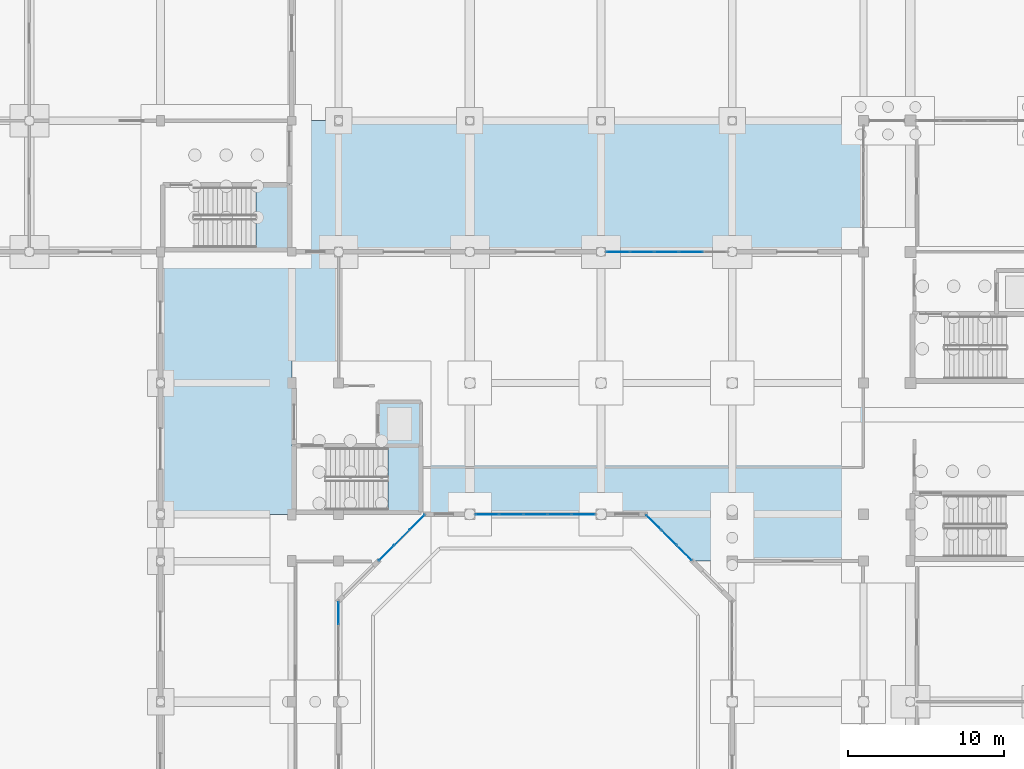
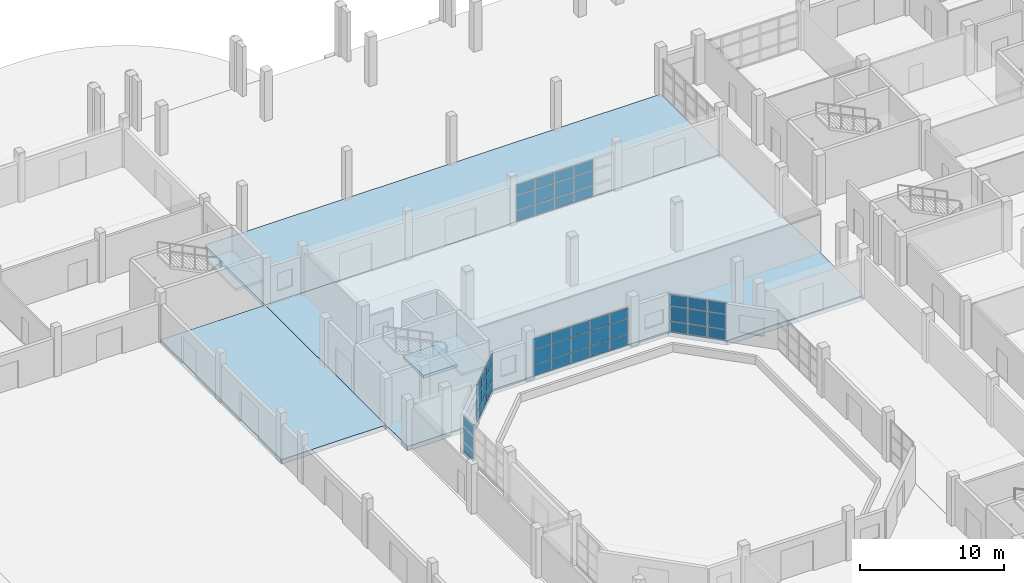
# One storey, part 50 of 88: 48 plates, 6 slabs, 7 elements without a shape of their own.
"""IFC4 building model written with IfcOpenShell, lengths in metres."""

from ifc_helpers import new_model, si_unit, direction, frame, origin, origin_2d, place, context, subcontext, project, spatial, polyline, rectangle, outline, extrude, material, layer, layer_set, type_object, element, aggregate, save


model = new_model("IFC4")

# Units and contexts
model_context = context("Model", 3, precision=1e-05, world=origin(), true_north=direction((0.0, 1.0)))
body_context = subcontext(model_context, "Body", "Model", "MODEL_VIEW")
ifc_project = project(units=[si_unit("LENGTHUNIT", "METRE"), si_unit("AREAUNIT", "SQUARE_METRE"), si_unit("VOLUMEUNIT", "CUBIC_METRE"), si_unit("PLANEANGLEUNIT", "RADIAN"), si_unit("MASSUNIT", "GRAM", prefix="KILO")], contexts=[model_context])

# Site, building, storey
site_placement = place(None, origin())
site = spatial("IfcSite", under=ifc_project, at=site_placement, CompositionType="ELEMENT")
building_placement = place(site_placement, origin())
building = spatial("IfcBuilding", under=site, at=building_placement, Name="Vanh Quang Courtyard School", CompositionType="ELEMENT")
storey_placement = place(building_placement, origin())
storey = spatial("IfcBuildingStorey", under=building, at=storey_placement, Name="L00", CompositionType="ELEMENT", Elevation=0.0)

# Curtain wall, plates
ifc_material_1 = material(Name="Thermally broken aluminium unitised curtain wall", Category="aluminium")
curtain_wall_type_1 = type_object("IfcCurtainWallType", Name="CW-SYS-14", PredefinedType="NOTDEFINED", material=ifc_material_1)
curtain_wall_1_placement = place(storey_placement, origin())
curtain_wall_1 = element("IfcCurtainWall", 1, at=curtain_wall_1_placement, inside=storey, type_object=curtain_wall_type_1, Name="Curtain Wall CW-14 (L00)", PredefinedType="NOTDEFINED")
ifc_material_2 = material(Name="Low-E laminated double glazing", Category="glass")
ifc_layer_1 = layer(ifc_material_2, 0.028076171875)
ifc_layer_set_1 = layer_set([ifc_layer_1], Name="Low-E laminated double glazing")
plate_type_1 = type_object("IfcPlateType", Name="CW-PNL-28", PredefinedType="CURTAIN_PANEL", material=ifc_layer_set_1)
plate_1_placement = place(storey_placement, frame((62.94189453125, 68.9140625, 0.080078125), z_axis=(0.0, 0.0, 1.0), x_axis=(-0.707106781187, 0.707106781187, 0.0)))
plate_1 = element("IfcPlate", 2, at=plate_1_placement, type_object=plate_type_1, Name="CW-14 panel 1.1", PredefinedType="CURTAIN_PANEL", context=body_context, shape_type="SweptSolid", body=[
    extrude(rectangle(XDim=1.294189453125, YDim=0.028076171875, at=origin_2d()), origin(), (0.0, 0.0, 1.0), 0.830078125),
])
plate_2_placement = place(storey_placement, frame((62.94189453125, 68.9140625, 0.990234375), z_axis=(0.0, 0.0, 1.0), x_axis=(-0.707106781187, 0.707106781187, 0.0)))
plate_2 = element("IfcPlate", 3, at=plate_2_placement, type_object=plate_type_1, Name="CW-14 panel 1.2", PredefinedType="CURTAIN_PANEL", context=body_context, shape_type="SweptSolid", body=[
    extrude(rectangle(XDim=1.294189453125, YDim=0.028076171875, at=origin_2d()), origin(), (0.0, 0.0, 1.0), 1.219970703125),
])
plate_3_placement = place(storey_placement, frame((62.94189453125, 68.9140625, 2.2900390625), z_axis=(0.0, 0.0, 1.0), x_axis=(-0.707106781187, 0.707106781187, 0.0)))
plate_3 = element("IfcPlate", 4, at=plate_3_placement, type_object=plate_type_1, Name="CW-14 panel 1.3", PredefinedType="CURTAIN_PANEL", context=body_context, shape_type="SweptSolid", body=[
    extrude(rectangle(XDim=1.294189453125, YDim=0.028076171875, at=origin_2d()), origin(), (0.0, 0.0, 1.0), 0.89990234375),
])
plate_4_placement = place(storey_placement, frame((61.9560546875, 69.89990234375, 0.080078125), z_axis=(0.0, 0.0, 1.0), x_axis=(-0.707106781187, 0.707106781187, 0.0)))
plate_4 = element("IfcPlate", 5, at=plate_4_placement, type_object=plate_type_1, Name="CW-14 panel 2.1", PredefinedType="CURTAIN_PANEL", context=body_context, shape_type="SweptSolid", body=[
    extrude(rectangle(XDim=1.334228515625, YDim=0.028076171875, at=origin_2d()), origin(), (0.0, 0.0, 1.0), 0.830078125),
])
plate_5_placement = place(storey_placement, frame((61.9560546875, 69.89990234375, 0.990234375), z_axis=(0.0, 0.0, 1.0), x_axis=(-0.707106781187, 0.707106781187, 0.0)))
plate_5 = element("IfcPlate", 6, at=plate_5_placement, type_object=plate_type_1, Name="CW-14 panel 2.2", PredefinedType="CURTAIN_PANEL", context=body_context, shape_type="SweptSolid", body=[
    extrude(rectangle(XDim=1.334228515625, YDim=0.028076171875, at=origin_2d()), origin(), (0.0, 0.0, 1.0), 1.219970703125),
])
plate_6_placement = place(storey_placement, frame((61.9560546875, 69.89990234375, 2.2900390625), z_axis=(0.0, 0.0, 1.0), x_axis=(-0.707106781187, 0.707106781187, 0.0)))
plate_6 = element("IfcPlate", 7, at=plate_6_placement, type_object=plate_type_1, Name="CW-14 panel 2.3", PredefinedType="CURTAIN_PANEL", context=body_context, shape_type="SweptSolid", body=[
    extrude(rectangle(XDim=1.334228515625, YDim=0.028076171875, at=origin_2d()), origin(), (0.0, 0.0, 1.0), 0.89990234375),
])
plate_7_placement = place(storey_placement, frame((60.97021484375, 70.8857421875, 0.080078125), z_axis=(0.0, 0.0, 1.0), x_axis=(-0.707106781187, 0.707106781187, 0.0)))
plate_7 = element("IfcPlate", 8, at=plate_7_placement, type_object=plate_type_1, Name="CW-14 panel 3.1", PredefinedType="CURTAIN_PANEL", context=body_context, shape_type="SweptSolid", body=[
    extrude(rectangle(XDim=1.294189453125, YDim=0.028076171875, at=origin_2d()), origin(), (0.0, 0.0, 1.0), 0.830078125),
])
plate_8_placement = place(storey_placement, frame((60.97021484375, 70.8857421875, 0.990234375), z_axis=(0.0, 0.0, 1.0), x_axis=(-0.707106781187, 0.707106781187, 0.0)))
plate_8 = element("IfcPlate", 9, at=plate_8_placement, type_object=plate_type_1, Name="CW-14 panel 3.2", PredefinedType="CURTAIN_PANEL", context=body_context, shape_type="SweptSolid", body=[
    extrude(rectangle(XDim=1.294189453125, YDim=0.028076171875, at=origin_2d()), origin(), (0.0, 0.0, 1.0), 1.219970703125),
])
plate_9_placement = place(storey_placement, frame((60.97021484375, 70.8857421875, 2.2900390625), z_axis=(0.0, 0.0, 1.0), x_axis=(-0.707106781187, 0.707106781187, 0.0)))
plate_9 = element("IfcPlate", 10, at=plate_9_placement, type_object=plate_type_1, Name="CW-14 panel 3.3", PredefinedType="CURTAIN_PANEL", context=body_context, shape_type="SweptSolid", body=[
    extrude(rectangle(XDim=1.294189453125, YDim=0.028076171875, at=origin_2d()), origin(), (0.0, 0.0, 1.0), 0.89990234375),
])
aggregate(curtain_wall_1, [plate_1, plate_2, plate_3, plate_4, plate_5, plate_6, plate_7, plate_8, plate_9])

curtain_wall_type_2 = type_object("IfcCurtainWallType", Name="CW-SYS-15", PredefinedType="NOTDEFINED", material=ifc_material_1)
curtain_wall_2_placement = place(storey_placement, origin())
curtain_wall_2 = element("IfcCurtainWall", 11, at=curtain_wall_2_placement, inside=storey, type_object=curtain_wall_type_2, Name="Curtain Wall CW-15 (L00)", PredefinedType="NOTDEFINED")
plate_10_placement = place(storey_placement, frame((45.83154296875, 70.8876953125, 0.06982421875), z_axis=(0.0, 0.0, 1.0), x_axis=(-0.707106781187, -0.707106781187, 0.0)))
plate_10 = element("IfcPlate", 12, at=plate_10_placement, type_object=plate_type_1, Name="CW-15 panel 1.1", PredefinedType="CURTAIN_PANEL", context=body_context, shape_type="SweptSolid", body=[
    extrude(rectangle(XDim=1.309326171875, YDim=0.028076171875, at=origin_2d()), origin(), (0.0, 0.0, 1.0), 0.844970703125),
])
plate_11_placement = place(storey_placement, frame((45.83154296875, 70.8876953125, 0.985107421875), z_axis=(0.0, 0.0, 1.0), x_axis=(-0.707106781187, -0.707106781187, 0.0)))
plate_11 = element("IfcPlate", 13, at=plate_11_placement, type_object=plate_type_1, Name="CW-15 panel 1.2", PredefinedType="CURTAIN_PANEL", context=body_context, shape_type="SweptSolid", body=[
    extrude(rectangle(XDim=1.309326171875, YDim=0.028076171875, at=origin_2d()), origin(), (0.0, 0.0, 1.0), 1.22998046875),
])
plate_12_placement = place(storey_placement, frame((45.83154296875, 70.8876953125, 2.28515625), z_axis=(0.0, 0.0, 1.0), x_axis=(-0.707106781187, -0.707106781187, 0.0)))
plate_12 = element("IfcPlate", 14, at=plate_12_placement, type_object=plate_type_1, Name="CW-15 panel 1.3", PredefinedType="CURTAIN_PANEL", context=body_context, shape_type="SweptSolid", body=[
    extrude(rectangle(XDim=1.309326171875, YDim=0.028076171875, at=origin_2d()), origin(), (0.0, 0.0, 1.0), 0.864990234375),
])
plate_13_placement = place(storey_placement, frame((44.843994140625, 69.89990234375, 0.06982421875), z_axis=(0.0, 0.0, 1.0), x_axis=(-0.707106781187, -0.707106781187, 0.0)))
plate_13 = element("IfcPlate", 15, at=plate_13_placement, type_object=plate_type_1, Name="CW-15 panel 2.1", PredefinedType="CURTAIN_PANEL", context=body_context, shape_type="SweptSolid", body=[
    extrude(rectangle(XDim=1.34423828125, YDim=0.028076171875, at=origin_2d()), origin(), (0.0, 0.0, 1.0), 0.844970703125),
])
plate_14_placement = place(storey_placement, frame((44.843994140625, 69.89990234375, 0.985107421875), z_axis=(0.0, 0.0, 1.0), x_axis=(-0.707106781187, -0.707106781187, 0.0)))
plate_14 = element("IfcPlate", 16, at=plate_14_placement, type_object=plate_type_1, Name="CW-15 panel 2.2", PredefinedType="CURTAIN_PANEL", context=body_context, shape_type="SweptSolid", body=[
    extrude(rectangle(XDim=1.34423828125, YDim=0.028076171875, at=origin_2d()), origin(), (0.0, 0.0, 1.0), 1.22998046875),
])
plate_15_placement = place(storey_placement, frame((44.843994140625, 69.89990234375, 2.28515625), z_axis=(0.0, 0.0, 1.0), x_axis=(-0.707106781187, -0.707106781187, 0.0)))
plate_15 = element("IfcPlate", 17, at=plate_15_placement, type_object=plate_type_1, Name="CW-15 panel 2.3", PredefinedType="CURTAIN_PANEL", context=body_context, shape_type="SweptSolid", body=[
    extrude(rectangle(XDim=1.34423828125, YDim=0.028076171875, at=origin_2d()), origin(), (0.0, 0.0, 1.0), 0.864990234375),
])
plate_16_placement = place(storey_placement, frame((43.8564453125, 68.912353515625, 0.06982421875), z_axis=(0.0, 0.0, 1.0), x_axis=(-0.707106781187, -0.707106781187, 0.0)))
plate_16 = element("IfcPlate", 18, at=plate_16_placement, type_object=plate_type_1, Name="CW-15 panel 3.1", PredefinedType="CURTAIN_PANEL", context=body_context, shape_type="SweptSolid", body=[
    extrude(rectangle(XDim=1.309326171875, YDim=0.028076171875, at=origin_2d()), origin(), (0.0, 0.0, 1.0), 0.844970703125),
])
plate_17_placement = place(storey_placement, frame((43.8564453125, 68.912353515625, 0.985107421875), z_axis=(0.0, 0.0, 1.0), x_axis=(-0.707106781187, -0.707106781187, 0.0)))
plate_17 = element("IfcPlate", 19, at=plate_17_placement, type_object=plate_type_1, Name="CW-15 panel 3.2", PredefinedType="CURTAIN_PANEL", context=body_context, shape_type="SweptSolid", body=[
    extrude(rectangle(XDim=1.309326171875, YDim=0.028076171875, at=origin_2d()), origin(), (0.0, 0.0, 1.0), 1.22998046875),
])
plate_18_placement = place(storey_placement, frame((43.8564453125, 68.912353515625, 2.28515625), z_axis=(0.0, 0.0, 1.0), x_axis=(-0.707106781187, -0.707106781187, 0.0)))
plate_18 = element("IfcPlate", 20, at=plate_18_placement, type_object=plate_type_1, Name="CW-15 panel 3.3", PredefinedType="CURTAIN_PANEL", context=body_context, shape_type="SweptSolid", body=[
    extrude(rectangle(XDim=1.309326171875, YDim=0.028076171875, at=origin_2d()), origin(), (0.0, 0.0, 1.0), 0.864990234375),
])
aggregate(curtain_wall_2, [plate_10, plate_11, plate_12, plate_13, plate_14, plate_15, plate_16, plate_17, plate_18])

curtain_wall_type_3 = type_object("IfcCurtainWallType", Name="CW-SYS-01", PredefinedType="NOTDEFINED", material=ifc_material_1)
curtain_wall_3_placement = place(storey_placement, origin())
curtain_wall_3 = element("IfcCurtainWall", 21, at=curtain_wall_3_placement, inside=storey, type_object=curtain_wall_type_3, Name="Curtain Wall CW-01 (L00)", PredefinedType="NOTDEFINED")
ifc_layer_2 = layer(ifc_material_2, 0.031982421875)
ifc_layer_set_2 = layer_set([ifc_layer_2], Name="Low-E laminated double glazing")
plate_type_2 = type_object("IfcPlateType", Name="CW-PNL-32", PredefinedType="CURTAIN_PANEL", material=ifc_layer_set_2)
plate_19_placement = place(storey_placement, frame((58.683837890625, 88.199951171875, 0.06982421875), z_axis=(0.0, 0.0, 1.0), x_axis=(1.0, 0.0, 0.0)))
plate_19 = element("IfcPlate", 22, at=plate_19_placement, type_object=plate_type_2, Name="CW-01 panel 1.1", PredefinedType="CURTAIN_PANEL", context=body_context, shape_type="SweptSolid", body=[
    extrude(rectangle(XDim=1.4619140625, YDim=0.031982421875, at=origin_2d()), origin(), (0.0, 0.0, 1.0), 0.844970703125),
])
plate_20_placement = place(storey_placement, frame((58.683837890625, 88.199951171875, 0.985107421875), z_axis=(0.0, 0.0, 1.0), x_axis=(1.0, 0.0, 0.0)))
plate_20 = element("IfcPlate", 23, at=plate_20_placement, type_object=plate_type_2, Name="CW-01 panel 1.2", PredefinedType="CURTAIN_PANEL", context=body_context, shape_type="SweptSolid", body=[
    extrude(rectangle(XDim=1.4619140625, YDim=0.031982421875, at=origin_2d()), origin(), (0.0, 0.0, 1.0), 1.22998046875),
])
plate_21_placement = place(storey_placement, frame((58.683837890625, 88.199951171875, 2.28515625), z_axis=(0.0, 0.0, 1.0), x_axis=(1.0, 0.0, 0.0)))
plate_21 = element("IfcPlate", 24, at=plate_21_placement, type_object=plate_type_2, Name="CW-01 panel 1.3", PredefinedType="CURTAIN_PANEL", context=body_context, shape_type="SweptSolid", body=[
    extrude(rectangle(XDim=1.4619140625, YDim=0.031982421875, at=origin_2d()), origin(), (0.0, 0.0, 1.0), 0.864990234375),
])
plate_22_placement = place(storey_placement, frame((60.233154296875, 88.199951171875, 0.06982421875), z_axis=(0.0, 0.0, 1.0), x_axis=(1.0, 0.0, 0.0)))
plate_22 = element("IfcPlate", 25, at=plate_22_placement, type_object=plate_type_2, Name="CW-01 panel 2.1", PredefinedType="CURTAIN_PANEL", context=body_context, shape_type="SweptSolid", body=[
    extrude(rectangle(XDim=1.496826171875, YDim=0.031982421875, at=origin_2d()), origin(), (0.0, 0.0, 1.0), 0.844970703125),
])
plate_23_placement = place(storey_placement, frame((60.233154296875, 88.199951171875, 0.985107421875), z_axis=(0.0, 0.0, 1.0), x_axis=(1.0, 0.0, 0.0)))
plate_23 = element("IfcPlate", 26, at=plate_23_placement, type_object=plate_type_2, Name="CW-01 panel 2.2", PredefinedType="CURTAIN_PANEL", context=body_context, shape_type="SweptSolid", body=[
    extrude(rectangle(XDim=1.496826171875, YDim=0.031982421875, at=origin_2d()), origin(), (0.0, 0.0, 1.0), 1.22998046875),
])
plate_24_placement = place(storey_placement, frame((60.233154296875, 88.199951171875, 2.28515625), z_axis=(0.0, 0.0, 1.0), x_axis=(1.0, 0.0, 0.0)))
plate_24 = element("IfcPlate", 27, at=plate_24_placement, type_object=plate_type_2, Name="CW-01 panel 2.3", PredefinedType="CURTAIN_PANEL", context=body_context, shape_type="SweptSolid", body=[
    extrude(rectangle(XDim=1.496826171875, YDim=0.031982421875, at=origin_2d()), origin(), (0.0, 0.0, 1.0), 0.864990234375),
])
plate_25_placement = place(storey_placement, frame((61.800048828125, 88.199951171875, 0.06982421875), z_axis=(0.0, 0.0, 1.0), x_axis=(1.0, 0.0, 0.0)))
plate_25 = element("IfcPlate", 28, at=plate_25_placement, type_object=plate_type_2, Name="CW-01 panel 3.1", PredefinedType="CURTAIN_PANEL", context=body_context, shape_type="SweptSolid", body=[
    extrude(rectangle(XDim=1.496826171875, YDim=0.031982421875, at=origin_2d()), origin(), (0.0, 0.0, 1.0), 0.844970703125),
])
plate_26_placement = place(storey_placement, frame((61.800048828125, 88.199951171875, 0.985107421875), z_axis=(0.0, 0.0, 1.0), x_axis=(1.0, 0.0, 0.0)))
plate_26 = element("IfcPlate", 29, at=plate_26_placement, type_object=plate_type_2, Name="CW-01 panel 3.2", PredefinedType="CURTAIN_PANEL", context=body_context, shape_type="SweptSolid", body=[
    extrude(rectangle(XDim=1.496826171875, YDim=0.031982421875, at=origin_2d()), origin(), (0.0, 0.0, 1.0), 1.22998046875),
])
plate_27_placement = place(storey_placement, frame((61.800048828125, 88.199951171875, 2.28515625), z_axis=(0.0, 0.0, 1.0), x_axis=(1.0, 0.0, 0.0)))
plate_27 = element("IfcPlate", 30, at=plate_27_placement, type_object=plate_type_2, Name="CW-01 panel 3.3", PredefinedType="CURTAIN_PANEL", context=body_context, shape_type="SweptSolid", body=[
    extrude(rectangle(XDim=1.496826171875, YDim=0.031982421875, at=origin_2d()), origin(), (0.0, 0.0, 1.0), 0.864990234375),
])
plate_28_placement = place(storey_placement, frame((63.36669921875, 88.199951171875, 0.06982421875), z_axis=(0.0, 0.0, 1.0), x_axis=(1.0, 0.0, 0.0)))
plate_28 = element("IfcPlate", 31, at=plate_28_placement, type_object=plate_type_2, Name="CW-01 panel 4.1", PredefinedType="CURTAIN_PANEL", context=body_context, shape_type="SweptSolid", body=[
    extrude(rectangle(XDim=1.496826171875, YDim=0.031982421875, at=origin_2d()), origin(), (0.0, 0.0, 1.0), 0.844970703125),
])
plate_29_placement = place(storey_placement, frame((63.36669921875, 88.199951171875, 0.985107421875), z_axis=(0.0, 0.0, 1.0), x_axis=(1.0, 0.0, 0.0)))
plate_29 = element("IfcPlate", 32, at=plate_29_placement, type_object=plate_type_2, Name="CW-01 panel 4.2", PredefinedType="CURTAIN_PANEL", context=body_context, shape_type="SweptSolid", body=[
    extrude(rectangle(XDim=1.496826171875, YDim=0.031982421875, at=origin_2d()), origin(), (0.0, 0.0, 1.0), 1.22998046875),
])
plate_30_placement = place(storey_placement, frame((63.36669921875, 88.199951171875, 2.28515625), z_axis=(0.0, 0.0, 1.0), x_axis=(1.0, 0.0, 0.0)))
plate_30 = element("IfcPlate", 33, at=plate_30_placement, type_object=plate_type_2, Name="CW-01 panel 4.3", PredefinedType="CURTAIN_PANEL", context=body_context, shape_type="SweptSolid", body=[
    extrude(rectangle(XDim=1.496826171875, YDim=0.031982421875, at=origin_2d()), origin(), (0.0, 0.0, 1.0), 0.864990234375),
])
aggregate(curtain_wall_3, [plate_19, plate_20, plate_21, plate_22, plate_23, plate_24, plate_25, plate_26, plate_27, plate_28, plate_29, plate_30])

curtain_wall_type_4 = type_object("IfcCurtainWallType", Name="CW-SYS-02", PredefinedType="NOTDEFINED", material=ifc_material_1)
curtain_wall_4_placement = place(storey_placement, origin())
curtain_wall_4 = element("IfcCurtainWall", 34, at=curtain_wall_4_placement, inside=storey, type_object=curtain_wall_type_4, Name="Curtain Wall CW-02 (L00)", PredefinedType="NOTDEFINED")
plate_31_placement = place(storey_placement, frame((56.478515625, 71.39990234375, 0.06005859375), z_axis=(0.0, 0.0, 1.0), x_axis=(-1.0, 0.0, 0.0)))
plate_31 = element("IfcPlate", 35, at=plate_31_placement, type_object=plate_type_2, Name="CW-02 panel 1.1", PredefinedType="CURTAIN_PANEL", context=body_context, shape_type="SweptSolid", body=[
    extrude(rectangle(XDim=1.456787109375, YDim=0.031982421875, at=origin_2d()), origin(), (0.0, 0.0, 1.0), 0.860107421875),
])
plate_32_placement = place(storey_placement, frame((56.478515625, 71.39990234375, 0.97998046875), z_axis=(0.0, 0.0, 1.0), x_axis=(-1.0, 0.0, 0.0)))
plate_32 = element("IfcPlate", 36, at=plate_32_placement, type_object=plate_type_2, Name="CW-02 panel 1.2", PredefinedType="CURTAIN_PANEL", context=body_context, shape_type="SweptSolid", body=[
    extrude(rectangle(XDim=1.456787109375, YDim=0.031982421875, at=origin_2d()), origin(), (0.0, 0.0, 1.0), 1.239990234375),
])
plate_33_placement = place(storey_placement, frame((56.478515625, 71.39990234375, 2.280029296875), z_axis=(0.0, 0.0, 1.0), x_axis=(-1.0, 0.0, 0.0)))
plate_33 = element("IfcPlate", 37, at=plate_33_placement, type_object=plate_type_2, Name="CW-02 panel 1.3", PredefinedType="CURTAIN_PANEL", context=body_context, shape_type="SweptSolid", body=[
    extrude(rectangle(XDim=1.456787109375, YDim=0.031982421875, at=origin_2d()), origin(), (0.0, 0.0, 1.0), 0.8798828125),
])
plate_34_placement = place(storey_placement, frame((54.94677734375, 71.39990234375, 0.06005859375), z_axis=(0.0, 0.0, 1.0), x_axis=(-1.0, 0.0, 0.0)))
plate_34 = element("IfcPlate", 38, at=plate_34_placement, type_object=plate_type_2, Name="CW-02 panel 2.1", PredefinedType="CURTAIN_PANEL", context=body_context, shape_type="SweptSolid", body=[
    extrude(rectangle(XDim=1.48681640625, YDim=0.031982421875, at=origin_2d()), origin(), (0.0, 0.0, 1.0), 0.860107421875),
])
plate_35_placement = place(storey_placement, frame((54.94677734375, 71.39990234375, 0.97998046875), z_axis=(0.0, 0.0, 1.0), x_axis=(-1.0, 0.0, 0.0)))
plate_35 = element("IfcPlate", 39, at=plate_35_placement, type_object=plate_type_2, Name="CW-02 panel 2.2", PredefinedType="CURTAIN_PANEL", context=body_context, shape_type="SweptSolid", body=[
    extrude(rectangle(XDim=1.48681640625, YDim=0.031982421875, at=origin_2d()), origin(), (0.0, 0.0, 1.0), 1.239990234375),
])
plate_36_placement = place(storey_placement, frame((54.94677734375, 71.39990234375, 2.280029296875), z_axis=(0.0, 0.0, 1.0), x_axis=(-1.0, 0.0, 0.0)))
plate_36 = element("IfcPlate", 40, at=plate_36_placement, type_object=plate_type_2, Name="CW-02 panel 2.3", PredefinedType="CURTAIN_PANEL", context=body_context, shape_type="SweptSolid", body=[
    extrude(rectangle(XDim=1.48681640625, YDim=0.031982421875, at=origin_2d()), origin(), (0.0, 0.0, 1.0), 0.8798828125),
])
plate_37_placement = place(storey_placement, frame((53.39990234375, 71.39990234375, 0.06005859375), z_axis=(0.0, 0.0, 1.0), x_axis=(-1.0, 0.0, 0.0)))
plate_37 = element("IfcPlate", 41, at=plate_37_placement, type_object=plate_type_2, Name="CW-02 panel 3.1", PredefinedType="CURTAIN_PANEL", context=body_context, shape_type="SweptSolid", body=[
    extrude(rectangle(XDim=1.48681640625, YDim=0.031982421875, at=origin_2d()), origin(), (0.0, 0.0, 1.0), 0.860107421875),
])
plate_38_placement = place(storey_placement, frame((53.39990234375, 71.39990234375, 0.97998046875), z_axis=(0.0, 0.0, 1.0), x_axis=(-1.0, 0.0, 0.0)))
plate_38 = element("IfcPlate", 42, at=plate_38_placement, type_object=plate_type_2, Name="CW-02 panel 3.2", PredefinedType="CURTAIN_PANEL", context=body_context, shape_type="SweptSolid", body=[
    extrude(rectangle(XDim=1.48681640625, YDim=0.031982421875, at=origin_2d()), origin(), (0.0, 0.0, 1.0), 1.239990234375),
])
plate_39_placement = place(storey_placement, frame((53.39990234375, 71.39990234375, 2.280029296875), z_axis=(0.0, 0.0, 1.0), x_axis=(-1.0, 0.0, 0.0)))
plate_39 = element("IfcPlate", 43, at=plate_39_placement, type_object=plate_type_2, Name="CW-02 panel 3.3", PredefinedType="CURTAIN_PANEL", context=body_context, shape_type="SweptSolid", body=[
    extrude(rectangle(XDim=1.48681640625, YDim=0.031982421875, at=origin_2d()), origin(), (0.0, 0.0, 1.0), 0.8798828125),
])
plate_40_placement = place(storey_placement, frame((51.853271484375, 71.39990234375, 0.06005859375), z_axis=(0.0, 0.0, 1.0), x_axis=(-1.0, 0.0, 0.0)))
plate_40 = element("IfcPlate", 44, at=plate_40_placement, type_object=plate_type_2, Name="CW-02 panel 4.1", PredefinedType="CURTAIN_PANEL", context=body_context, shape_type="SweptSolid", body=[
    extrude(rectangle(XDim=1.48681640625, YDim=0.031982421875, at=origin_2d()), origin(), (0.0, 0.0, 1.0), 0.860107421875),
])
plate_41_placement = place(storey_placement, frame((51.853271484375, 71.39990234375, 0.97998046875), z_axis=(0.0, 0.0, 1.0), x_axis=(-1.0, 0.0, 0.0)))
plate_41 = element("IfcPlate", 45, at=plate_41_placement, type_object=plate_type_2, Name="CW-02 panel 4.2", PredefinedType="CURTAIN_PANEL", context=body_context, shape_type="SweptSolid", body=[
    extrude(rectangle(XDim=1.48681640625, YDim=0.031982421875, at=origin_2d()), origin(), (0.0, 0.0, 1.0), 1.239990234375),
])
plate_42_placement = place(storey_placement, frame((51.853271484375, 71.39990234375, 2.280029296875), z_axis=(0.0, 0.0, 1.0), x_axis=(-1.0, 0.0, 0.0)))
plate_42 = element("IfcPlate", 46, at=plate_42_placement, type_object=plate_type_2, Name="CW-02 panel 4.3", PredefinedType="CURTAIN_PANEL", context=body_context, shape_type="SweptSolid", body=[
    extrude(rectangle(XDim=1.48681640625, YDim=0.031982421875, at=origin_2d()), origin(), (0.0, 0.0, 1.0), 0.8798828125),
])
plate_43_placement = place(storey_placement, frame((50.3212890625, 71.39990234375, 0.06005859375), z_axis=(0.0, 0.0, 1.0), x_axis=(-1.0, 0.0, 0.0)))
plate_43 = element("IfcPlate", 47, at=plate_43_placement, type_object=plate_type_2, Name="CW-02 panel 5.1", PredefinedType="CURTAIN_PANEL", context=body_context, shape_type="SweptSolid", body=[
    extrude(rectangle(XDim=1.456787109375, YDim=0.031982421875, at=origin_2d()), origin(), (0.0, 0.0, 1.0), 0.860107421875),
])
plate_44_placement = place(storey_placement, frame((50.3212890625, 71.39990234375, 0.97998046875), z_axis=(0.0, 0.0, 1.0), x_axis=(-1.0, 0.0, 0.0)))
plate_44 = element("IfcPlate", 48, at=plate_44_placement, type_object=plate_type_2, Name="CW-02 panel 5.2", PredefinedType="CURTAIN_PANEL", context=body_context, shape_type="SweptSolid", body=[
    extrude(rectangle(XDim=1.456787109375, YDim=0.031982421875, at=origin_2d()), origin(), (0.0, 0.0, 1.0), 1.239990234375),
])
plate_45_placement = place(storey_placement, frame((50.3212890625, 71.39990234375, 2.280029296875), z_axis=(0.0, 0.0, 1.0), x_axis=(-1.0, 0.0, 0.0)))
plate_45 = element("IfcPlate", 49, at=plate_45_placement, type_object=plate_type_2, Name="CW-02 panel 5.3", PredefinedType="CURTAIN_PANEL", context=body_context, shape_type="SweptSolid", body=[
    extrude(rectangle(XDim=1.456787109375, YDim=0.031982421875, at=origin_2d()), origin(), (0.0, 0.0, 1.0), 0.8798828125),
])
aggregate(curtain_wall_4, [plate_31, plate_32, plate_33, plate_34, plate_35, plate_36, plate_37, plate_38, plate_39, plate_40, plate_41, plate_42, plate_43, plate_44, plate_45])

curtain_wall_type_5 = type_object("IfcCurtainWallType", Name="CW-SYS-13", PredefinedType="NOTDEFINED", material=ifc_material_1)
curtain_wall_5_placement = place(storey_placement, origin())
curtain_wall_5 = element("IfcCurtainWall", 50, at=curtain_wall_5_placement, inside=storey, type_object=curtain_wall_type_5, Name="Curtain Wall CW-13 (L00)", PredefinedType="NOTDEFINED")
plate_46_placement = place(storey_placement, frame((40.800048828125, 65.070556640625, 0.080078125), z_axis=(0.0, 0.0, 1.0), x_axis=(0.0, -1.0, 0.0)))
plate_46 = element("IfcPlate", 51, at=plate_46_placement, type_object=plate_type_2, Name="CW-13 panel 1.1", PredefinedType="CURTAIN_PANEL", context=body_context, shape_type="SweptSolid", body=[
    extrude(rectangle(XDim=1.41064453125, YDim=0.031982421875, at=origin_2d()), origin(), (0.0, 0.0, 1.0), 0.830078125),
])
plate_47_placement = place(storey_placement, frame((40.800048828125, 65.070556640625, 0.990234375), z_axis=(0.0, 0.0, 1.0), x_axis=(0.0, -1.0, 0.0)))
plate_47 = element("IfcPlate", 52, at=plate_47_placement, type_object=plate_type_2, Name="CW-13 panel 1.2", PredefinedType="CURTAIN_PANEL", context=body_context, shape_type="SweptSolid", body=[
    extrude(rectangle(XDim=1.41064453125, YDim=0.031982421875, at=origin_2d()), origin(), (0.0, 0.0, 1.0), 1.219970703125),
])
plate_48_placement = place(storey_placement, frame((40.800048828125, 65.070556640625, 2.2900390625), z_axis=(0.0, 0.0, 1.0), x_axis=(0.0, -1.0, 0.0)))
plate_48 = element("IfcPlate", 53, at=plate_48_placement, type_object=plate_type_2, Name="CW-13 panel 1.3", PredefinedType="CURTAIN_PANEL", context=body_context, shape_type="SweptSolid", body=[
    extrude(rectangle(XDim=1.41064453125, YDim=0.031982421875, at=origin_2d()), origin(), (0.0, 0.0, 1.0), 0.85009765625),
])
aggregate(curtain_wall_5, [plate_46, plate_47, plate_48])

# Slabs
ifc_material_3 = material(Name="Concrete C30/37", Category="concrete")
ifc_layer_3 = layer(ifc_material_3, 0.39990234375)
ifc_layer_set_3 = layer_set([ifc_layer_3], Name="Concrete C30/37")
slab_type_1 = type_object("IfcSlabType", Name="SLB-BASE-400", PredefinedType="BASESLAB", material=ifc_layer_set_3)
slab_1_placement = place(storey_placement, frame((0.0, 0.0, -0.39990234375)))
element("IfcSlab", 54, at=slab_1_placement, inside=storey, type_object=slab_type_1, Name="Slab BSL-01 (L00)", PredefinedType="BASESLAB", context=body_context, shape_type="SweptSolid", body=[
    extrude(outline(polyline([(43.343994140625, 68.39990234375), (46.343994140625, 71.39990234375), (60.4560546875, 71.39990234375), (63.4560546875, 68.39990234375), (74.39990234375, 68.39990234375), (74.39990234375, 88.199951171875), (37.800048828125, 88.199951171875), (37.800048828125, 68.39990234375), (43.343994140625, 68.39990234375)])), origin(), (0.0, 0.0, 1.0), 0.39990234375),
])
slab_2_placement = place(storey_placement, frame((0.0, 0.0, -0.39990234375)))
element("IfcSlab", 55, at=slab_2_placement, inside=storey, type_object=slab_type_1, Name="Slab BSL-01 (L00)", PredefinedType="BASESLAB", context=body_context, shape_type="SweptSolid", body=[
    extrude(outline(polyline([(37.800048828125, 88.199951171875), (29.39990234375, 88.199951171875), (29.39990234375, 71.39990234375), (37.800048828125, 71.39990234375), (37.800048828125, 88.199951171875)])), origin(), (0.0, 0.0, 1.0), 0.39990234375),
])
ifc_material_4 = material(Name="Concrete C35/45", Category="concrete")
ifc_layer_4 = layer(ifc_material_4, 0.280029296875)
ifc_layer_set_4 = layer_set([ifc_layer_4], Name="Concrete C35/45")
slab_type_2 = type_object("IfcSlabType", Name="SLB-COL-280", PredefinedType="FLOOR", material=ifc_layer_set_4)
slab_3_placement = place(storey_placement, frame((0.0, 0.0, -0.280029296875)))
element("IfcSlab", 56, at=slab_3_placement, inside=storey, type_object=slab_type_2, Name="Slab SC-01 (L00)", PredefinedType="FLOOR", context=body_context, shape_type="SweptSolid", body=[
    extrude(outline(polyline([(74.39990234375, 88.199951171875), (74.39990234375, 96.60009765625), (37.800048828125, 96.60009765625), (37.800048828125, 88.199951171875), (74.39990234375, 88.199951171875)])), origin(), (0.0, 0.0, 1.0), 0.280029296875),
])
ifc_layer_5 = layer(ifc_material_3, 0.25)
ifc_layer_set_5 = layer_set([ifc_layer_5], Name="Concrete C30/37")
slab_type_3 = type_object("IfcSlabType", Name="SLB-FLR-250", PredefinedType="FLOOR", material=ifc_layer_set_5)
slab_4_placement = place(storey_placement, frame((0.0, 0.0, -0.64990234375)))
element("IfcSlab", 57, at=slab_4_placement, inside=storey, type_object=slab_type_3, Name="Slab SF-04 (L00)", PredefinedType="FLOOR", context=body_context, shape_type="SweptSolid", body=[
    extrude(outline(polyline([(43.320068359375, 75.780029296875), (46.06005859375, 75.780029296875), (46.06005859375, 78.580078125), (43.320068359375, 78.580078125), (43.320068359375, 75.780029296875)])), origin(), (0.0, 0.0, 1.0), 0.25),
])

# Stair, slab
stair_type_1 = type_object("IfcStairType", Name="STR-CORE-1900", PredefinedType="HALF_TURN_STAIR", material=ifc_material_3)
stair_1_placement = place(storey_placement, origin())
stair_1 = element("IfcStair", 58, at=stair_1_placement, inside=storey, type_object=stair_type_1, Name="L00 ST-03", PredefinedType="HALF_TURN_STAIR")
ifc_layer_6 = layer(ifc_material_3, 0.199951171875)
ifc_layer_set_6 = layer_set([ifc_layer_6], Name="Concrete C30/37")
slab_type_4 = type_object("IfcSlabType", Name="SLB-LND-200", PredefinedType="LANDING", material=ifc_layer_set_6)
slab_5_placement = place(storey_placement, frame((0.0, 0.0, 1.89990234375)))
slab_5 = element("IfcSlab", 59, at=slab_5_placement, type_object=slab_type_4, Name="ST-03 landing 1", PredefinedType="LANDING", context=body_context, shape_type="SweptSolid", body=[
    extrude(outline(polyline([(43.945068359375, 71.52001953125), (46.080078125, 71.52001953125), (46.080078125, 75.800048828125), (43.945068359375, 75.800048828125), (43.945068359375, 71.52001953125)])), origin(), (0.0, 0.0, 1.0), 0.2001953125),
])
aggregate(stair_1, [slab_5])

stair_type_2 = type_object("IfcStairType", Name="STR-CORE-1850", PredefinedType="HALF_TURN_STAIR", material=ifc_material_3)
stair_2_placement = place(storey_placement, origin())
stair_2 = element("IfcStair", 60, at=stair_2_placement, inside=storey, type_object=stair_type_2, Name="L00 ST-07", PredefinedType="HALF_TURN_STAIR")
slab_6_placement = place(storey_placement, frame((0.0, 0.0, 1.89990234375)))
slab_6 = element("IfcSlab", 61, at=slab_6_placement, type_object=slab_type_4, Name="ST-07 landing 1", PredefinedType="LANDING", context=body_context, shape_type="SweptSolid", body=[
    extrude(outline(polyline([(35.4951171875, 88.320068359375), (37.679931640625, 88.320068359375), (37.679931640625, 92.5), (35.4951171875, 92.5), (35.4951171875, 88.320068359375)])), origin(), (0.0, 0.0, 1.0), 0.2001953125),
])
aggregate(stair_2, [slab_6])

save(model, "model.ifc")
